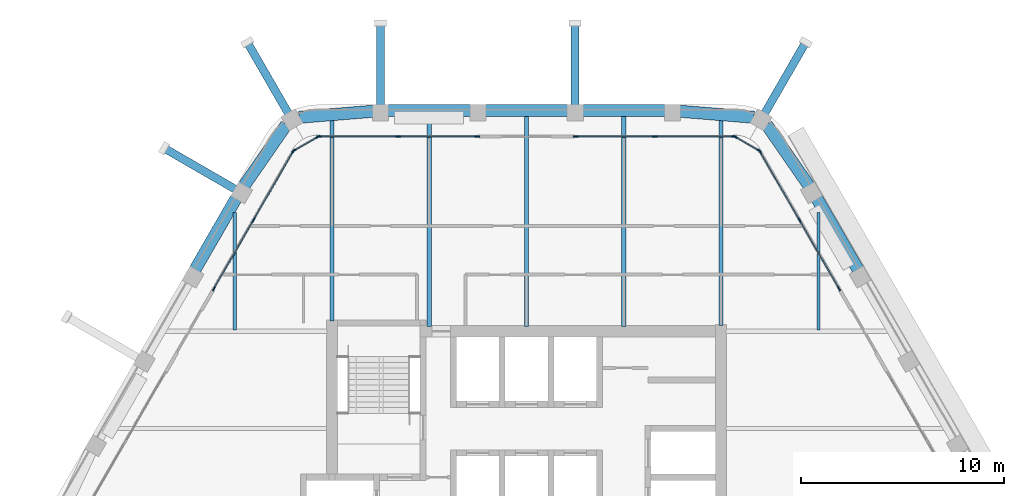
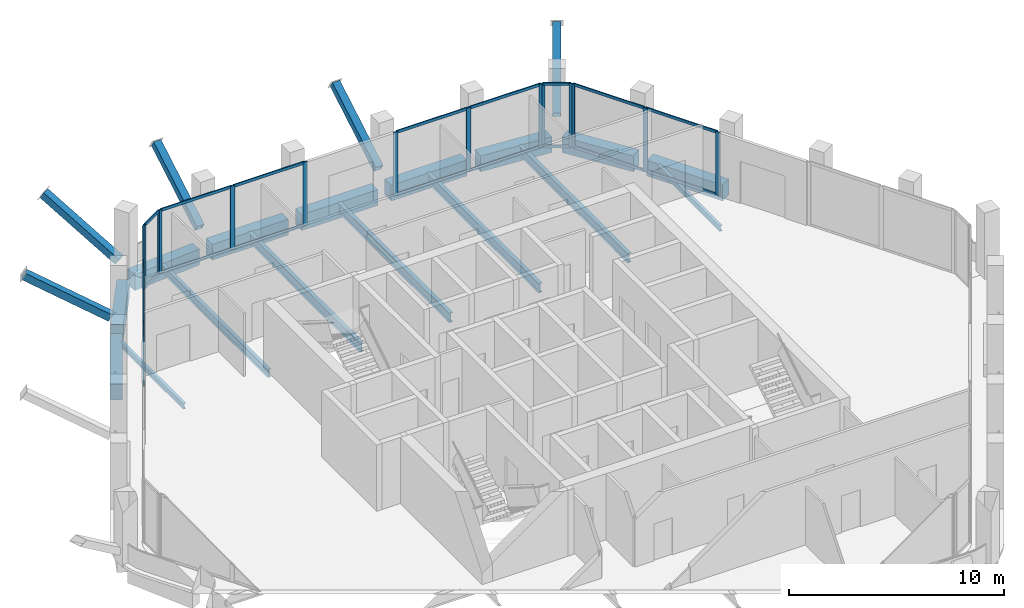
# One storey, part 5 of 14: 41 members, 16 beams, 6 elements without a shape of their own.
"""IFC4 building model written with IfcOpenShell, lengths in metres."""

from ifc_helpers import new_model, si_unit, direction, frame, origin, origin_2d, place, context, subcontext, project, spatial, rectangle, hollow_rectangle, i_section, extrude, material, material_profile, profile_set, type_object, element, aggregate, save


model = new_model("IFC4")

# Units and contexts
model_context = context("Model", 3, precision=1e-05, world=origin(), true_north=direction((0.0, 1.0)))
body_context = subcontext(model_context, "Body", "Model", "MODEL_VIEW")
ifc_project = project(units=[si_unit("LENGTHUNIT", "METRE"), si_unit("AREAUNIT", "SQUARE_METRE"), si_unit("VOLUMEUNIT", "CUBIC_METRE"), si_unit("PLANEANGLEUNIT", "RADIAN"), si_unit("MASSUNIT", "GRAM", prefix="KILO")], contexts=[model_context])

# Site, building, storey
site_placement = place(None, origin())
site = spatial("IfcSite", under=ifc_project, at=site_placement, CompositionType="ELEMENT")
building_placement = place(site_placement, origin())
building = spatial("IfcBuilding", under=site, at=building_placement, Name="Kolab Exchange Tower", CompositionType="ELEMENT")
storey_placement = place(building_placement, frame((0.0, 0.0, 250.10009765625)))
storey = spatial("IfcBuildingStorey", under=building, at=storey_placement, Name="L55", CompositionType="ELEMENT", Elevation=250.10009765625)

# Beams
ifc_material_1 = material(Name="Steel S355", Category="steel")
ifc_material_profile_1 = material_profile(ifc_material_1, i_section(OverallWidth=0.1650390625, OverallDepth=0.31005859375, WebThickness=0.005859375, FlangeThickness=0.009765625, at=origin_2d()), Name="W310X39")
ifc_profile_set_1 = profile_set([ifc_material_profile_1], Name="Steel S355")
beam_type_1 = type_object("IfcBeamType", Name="FLOOR BEAM W310X39", PredefinedType="BEAM", material=ifc_profile_set_1)
for number, where, z_axis, x_axis, name in (
    (1, (-14.39990234375, 9.674072265625, -0.30517578125), (0.0, 1.0, 0.0), (-1.0, 0.0, 0.0), "beam/L55/fr/004"),
    (2, (14.39990234375, 9.674072265625, -0.30517578125), (0.0, 1.0, 0.0), (-1.0, 0.0, 0.0), "beam/L55/fr/019"),
):
    element("IfcBeam", number, at=place(storey_placement, frame(where, z_axis=z_axis, x_axis=x_axis)), inside=storey, type_object=beam_type_1, Name=name, PredefinedType="BEAM", context=body_context, shape_type="SweptSolid", body=[
        extrude(i_section(OverallWidth=0.1650390625, OverallDepth=0.31005859375, WebThickness=0.005859375, FlangeThickness=0.009765625, at=origin_2d()), origin(), (0.0, 0.0, 1.0), 5.793701171875),
    ])
ifc_material_profile_2 = material_profile(ifc_material_1, i_section(OverallWidth=0.18994140625, OverallDepth=0.45703125, WebThickness=0.009033203125, FlangeThickness=0.014404296875, at=origin_2d()), Name="W460X74")
ifc_profile_set_2 = profile_set([ifc_material_profile_2], Name="Steel S355")
beam_type_2 = type_object("IfcBeamType", Name="FLOOR BEAM W460X74", PredefinedType="BEAM", material=ifc_profile_set_2)
beam_1_placement = place(storey_placement, frame((-9.60009765625, 10.110107421875, -0.378662109375), z_axis=(0.0, 1.0, 0.0), x_axis=(-1.0, 0.0, 0.0)))
element("IfcBeam", 3, at=beam_1_placement, inside=storey, type_object=beam_type_2, Name="beam/L55/fr/006", PredefinedType="BEAM", context=body_context, shape_type="SweptSolid", body=[
    extrude(i_section(OverallWidth=0.18994140625, OverallDepth=0.45703125, WebThickness=0.009033203125, FlangeThickness=0.014404296875, at=origin_2d()), origin(), (0.0, 0.0, 1.0), 9.9169921875),
])
ifc_material_profile_3 = material_profile(ifc_material_1, i_section(OverallWidth=0.208984375, OverallDepth=0.532958984375, WebThickness=0.01025390625, FlangeThickness=0.015625, at=origin_2d()), Name="W530X92")
ifc_profile_set_3 = profile_set([ifc_material_profile_3], Name="Steel S355")
beam_type_3 = type_object("IfcBeamType", Name="FLOOR BEAM W530X92", PredefinedType="BEAM", material=ifc_profile_set_3)
for number, where, z_axis, x_axis, name in (
    (4, (-4.800048828125, 9.8349609375, -0.41650390625), (0.0, 1.0, 0.0), (-1.0, 0.0, 0.0), "beam/L55/fr/008"),
    (5, (0.0, 9.8349609375, -0.41650390625), (0.0, 1.0, 0.0), (-1.0, 0.0, 0.0), "beam/L55/fr/010"),
    (6, (4.800048828125, 9.8349609375, -0.41650390625), (0.0, 1.0, 0.0), (-1.0, 0.0, 0.0), "beam/L55/fr/012"),
):
    element("IfcBeam", number, at=place(storey_placement, frame(where, z_axis=z_axis, x_axis=x_axis)), inside=storey, type_object=beam_type_3, Name=name, PredefinedType="BEAM", context=body_context, shape_type="SweptSolid", body=[
        extrude(i_section(OverallWidth=0.208984375, OverallDepth=0.532958984375, WebThickness=0.01025390625, FlangeThickness=0.015625, at=origin_2d()), origin(), (0.0, 0.0, 1.0), 10.3896484375),
    ])
beam_2_placement = place(storey_placement, frame((9.60009765625, 9.885009765625, -0.41650390625), z_axis=(0.0, 1.0, 0.0), x_axis=(-1.0, 0.0, 0.0)))
element("IfcBeam", 7, at=beam_2_placement, inside=storey, type_object=beam_type_3, Name="beam/L55/fr/014", PredefinedType="BEAM", context=body_context, shape_type="SweptSolid", body=[
    extrude(i_section(OverallWidth=0.208984375, OverallDepth=0.532958984375, WebThickness=0.01025390625, FlangeThickness=0.015625, at=origin_2d()), origin(), (0.0, 0.0, 1.0), 10.14208984375),
])

# Members
ifc_material_profile_4 = material_profile(ifc_material_1, hollow_rectangle(XDim=0.39990234375, YDim=0.39990234375, WallThickness=0.02001953125, at=origin_2d()), Name="HSS400X400X20")
ifc_profile_set_4 = profile_set([ifc_material_profile_4], Name="Steel S355")
member_type_1 = type_object("IfcMemberType", Name="LEDGE STRUT HSS400X400X20", PredefinedType="STRUT", material=ifc_profile_set_4)
for number, where, z_axis, x_axis, name in (
    (8, (-14.365478515625, 16.607666015625, 0.599853515625), (-0.747106459111, 0.431371866203, 0.505717561296), (-0.500025864173, -0.866010470582, 0.0), "mem/L55/ledge/strut-2"),
    (9, (-11.747802734375, 20.347900390625, 0.599853515625), (-0.431355064226, 0.74712949304, 0.505697863547), (-0.866025579307, -0.499999695987, 0.0), "mem/L55/ledge/strut-3"),
    (10, (-7.199951171875, 20.74462890625, 0.599853515625), (0.0, 0.862710518859, 0.505698092394), (-1.0, 0.0, 0.0), "mem/L55/ledge/strut-4"),
    (11, (2.39990234375, 20.74462890625, 0.599853515625), (0.0, 0.862710518859, 0.505698092394), (-1.0, 0.0, 0.0), "mem/L55/ledge/strut-5"),
    (12, (11.747802734375, 20.347900390625, 0.599853515625), (0.431355064226, 0.74712949304, 0.505697863547), (-0.866025579307, 0.499999695987, 0.0), "mem/L55/ledge/strut-6"),
):
    element("IfcMember", number, at=place(storey_placement, frame(where, z_axis=z_axis, x_axis=x_axis)), inside=storey, type_object=member_type_1, Name=name, PredefinedType="STRUT", context=body_context, shape_type="SweptSolid", body=[
        extrude(hollow_rectangle(XDim=0.39990234375, YDim=0.39990234375, WallThickness=0.02001953125, at=origin_2d()), origin(), (0.0, 0.0, 1.0), 4.682861328125),
    ])

# Beams
ifc_material_2 = material(Name="Concrete C50/60", Category="concrete")
ifc_material_profile_5 = material_profile(ifc_material_2, rectangle(XDim=0.60009765625, YDim=0.89990234375, at=origin_2d()), Name="RC600X900")
ifc_profile_set_5 = profile_set([ifc_material_profile_5], Name="Concrete C50/60")
beam_type_4 = type_object("IfcBeamType", Name="SPANDREL BEAM 600X900 C50/60", PredefinedType="BEAM", material=ifc_profile_set_5)
beam_3_placement = place(storey_placement, frame((-11.216796875, 20.15576171875, -0.60009765625), z_axis=(0.996666751878, 0.081580547323, 0.0), x_axis=(-0.081580547323, 0.996666751878, 0.0)))
element("IfcBeam", 13, at=beam_3_placement, inside=storey, type_object=beam_type_4, Name="beam/L55/sp/F1-01", PredefinedType="BEAM", context=body_context, shape_type="SweptSolid", body=[
    extrude(rectangle(XDim=0.60009765625, YDim=0.89990234375, at=origin_2d()), origin(), (0.0, 0.0, 1.0), 3.6689453125),
])
for number, where, z_axis, x_axis, name in (
    (14, (-6.840087890625, 20.484619140625, -0.60009765625), (1.0, 0.0, 0.0), (0.0, 1.0, 0.0), "beam/L55/sp/F1-02"),
    (15, (-2.0400390625, 20.484619140625, -0.60009765625), (1.0, 0.0, 0.0), (0.0, 1.0, 0.0), "beam/L55/sp/F1-03"),
    (16, (2.760009765625, 20.484619140625, -0.60009765625), (1.0, 0.0, 0.0), (0.0, 1.0, 0.0), "beam/L55/sp/F1-04"),
):
    element("IfcBeam", number, at=place(storey_placement, frame(where, z_axis=z_axis, x_axis=x_axis)), inside=storey, type_object=beam_type_4, Name=name, PredefinedType="BEAM", context=body_context, shape_type="SweptSolid", body=[
        extrude(rectangle(XDim=0.60009765625, YDim=0.89990234375, at=origin_2d()), origin(), (0.0, 0.0, 1.0), 4.080078125),
    ])
for number, where, z_axis, x_axis, name in (
    (17, (7.56005859375, 20.455078125, -0.60009765625), (0.996666751878, -0.081580547323, 0.0), (0.081580547323, 0.996666751878, 0.0), "beam/L55/sp/F1-05"),
    (18, (11.846923828125, 19.7919921875, -0.60009765625), (0.569005808573, -0.822333502789, 0.0), (0.822333502789, 0.569005808573, 0.0), "beam/L55/sp/F2-01"),
):
    element("IfcBeam", number, at=place(storey_placement, frame(where, z_axis=z_axis, x_axis=x_axis)), inside=storey, type_object=beam_type_4, Name=name, PredefinedType="BEAM", context=body_context, shape_type="SweptSolid", body=[
        extrude(rectangle(XDim=0.60009765625, YDim=0.89990234375, at=origin_2d()), origin(), (0.0, 0.0, 1.0), 3.6689453125),
    ])
for number, where, z_axis, x_axis, name in (
    (19, (14.3203125, 16.166015625, -0.60009765625), (0.499955548806, -0.866051066172, 0.0), (0.866051066172, 0.499955548806, 0.0), "beam/L55/sp/F2-02"),
    (20, (-16.360107421875, 12.632568359375, -0.60009765625), (0.499955548806, 0.866051066172, 0.0), (-0.866051066172, 0.499955548806, 0.0), "beam/L55/sp/F6-04"),
):
    element("IfcBeam", number, at=place(storey_placement, frame(where, z_axis=z_axis, x_axis=x_axis)), inside=storey, type_object=beam_type_4, Name=name, PredefinedType="BEAM", context=body_context, shape_type="SweptSolid", body=[
        extrude(rectangle(XDim=0.60009765625, YDim=0.89990234375, at=origin_2d()), origin(), (0.0, 0.0, 1.0), 4.079833984375),
    ])
beam_4_placement = place(storey_placement, frame((-13.9345703125, 16.77490234375, -0.60009765625), z_axis=(0.569005808573, 0.822333502789, 0.0), x_axis=(-0.822333502789, 0.569005808573, 0.0)))
element("IfcBeam", 21, at=beam_4_placement, inside=storey, type_object=beam_type_4, Name="beam/L55/sp/F6-05", PredefinedType="BEAM", context=body_context, shape_type="SweptSolid", body=[
    extrude(rectangle(XDim=0.60009765625, YDim=0.89990234375, at=origin_2d()), origin(), (0.0, 0.0, 1.0), 3.6689453125),
])

# Curtain wall, members
ifc_material_3 = material(Name="Aluminium EN AW-6063 T6", Category="aluminium")
curtain_wall_type = type_object("IfcCurtainWallType", Name="UNITISED HIGH ZONE CURTAIN WALL", PredefinedType="NOTDEFINED", material=ifc_material_3)
curtain_wall_1_placement = place(storey_placement, origin())
curtain_wall_1 = element("IfcCurtainWall", 22, at=curtain_wall_1_placement, inside=storey, type_object=curtain_wall_type, Name="cw/L55/F1-1", PredefinedType="NOTDEFINED")
ifc_material_profile_6 = material_profile(ifc_material_3, rectangle(XDim=0.06005859375, YDim=0.239990234375, at=origin_2d()), Name="RECT 60X240")
ifc_profile_set_6 = profile_set([ifc_material_profile_6], Name="Aluminium EN AW-6063 T6")
member_type_2 = type_object("IfcMemberType", Name="UNITISED HIGH ZONE MULLION 60 X 240", PredefinedType="MULLION", material=ifc_profile_set_6)
member_1_placement = place(storey_placement, frame((-10.238037109375, 19.20458984375, 0.0), z_axis=(0.0, 0.0, 1.0), x_axis=(0.0, 1.0, 0.0)))
member_1 = element("IfcMember", 23, at=member_1_placement, type_object=member_type_2, Name="CW4 mullion 1", PredefinedType="MULLION", context=body_context, shape_type="SweptSolid", body=[
    extrude(rectangle(XDim=0.06005859375, YDim=0.239990234375, at=origin_2d()), origin(), (0.0, 0.0, 1.0), 3.599853515625),
])
member_2_placement = place(storey_placement, frame((-6.333984375, 19.20458984375, 0.0), z_axis=(0.0, 0.0, 1.0), x_axis=(0.0, 1.0, 0.0)))
member_2 = element("IfcMember", 24, at=member_2_placement, type_object=member_type_2, Name="CW4 mullion 2", PredefinedType="MULLION", context=body_context, shape_type="SweptSolid", body=[
    extrude(rectangle(XDim=0.06005859375, YDim=0.239990234375, at=origin_2d()), origin(), (0.0, 0.0, 1.0), 3.599853515625),
])
member_3_placement = place(storey_placement, frame((-2.429931640625, 19.20458984375, 0.0), z_axis=(0.0, 0.0, 1.0), x_axis=(0.0, 1.0, 0.0)))
member_3 = element("IfcMember", 25, at=member_3_placement, type_object=member_type_2, Name="CW4 mullion 3", PredefinedType="MULLION", context=body_context, shape_type="SweptSolid", body=[
    extrude(rectangle(XDim=0.06005859375, YDim=0.239990234375, at=origin_2d()), origin(), (0.0, 0.0, 1.0), 3.599853515625),
])

curtain_wall_2_placement = place(storey_placement, origin())
curtain_wall_2 = element("IfcCurtainWall", 26, at=curtain_wall_2_placement, inside=storey, type_object=curtain_wall_type, Name="cw/L55/F1-2", PredefinedType="NOTDEFINED")
member_4_placement = place(storey_placement, frame((2.429931640625, 19.20458984375, 0.0), z_axis=(0.0, 0.0, 1.0), x_axis=(0.0, 1.0, 0.0)))
member_4 = element("IfcMember", 27, at=member_4_placement, type_object=member_type_2, Name="CW4 mullion 1", PredefinedType="MULLION", context=body_context, shape_type="SweptSolid", body=[
    extrude(rectangle(XDim=0.06005859375, YDim=0.239990234375, at=origin_2d()), origin(), (0.0, 0.0, 1.0), 3.599853515625),
])
member_5_placement = place(storey_placement, frame((6.333984375, 19.20458984375, 0.0), z_axis=(0.0, 0.0, 1.0), x_axis=(0.0, 1.0, 0.0)))
member_5 = element("IfcMember", 28, at=member_5_placement, type_object=member_type_2, Name="CW4 mullion 2", PredefinedType="MULLION", context=body_context, shape_type="SweptSolid", body=[
    extrude(rectangle(XDim=0.06005859375, YDim=0.239990234375, at=origin_2d()), origin(), (0.0, 0.0, 1.0), 3.599853515625),
])
member_6_placement = place(storey_placement, frame((10.238037109375, 19.20458984375, 0.0), z_axis=(0.0, 0.0, 1.0), x_axis=(0.0, 1.0, 0.0)))
member_6 = element("IfcMember", 29, at=member_6_placement, type_object=member_type_2, Name="CW4 mullion 3", PredefinedType="MULLION", context=body_context, shape_type="SweptSolid", body=[
    extrude(rectangle(XDim=0.06005859375, YDim=0.239990234375, at=origin_2d()), origin(), (0.0, 0.0, 1.0), 3.599853515625),
])

curtain_wall_3_placement = place(storey_placement, origin())
curtain_wall_3 = element("IfcCurtainWall", 30, at=curtain_wall_3_placement, inside=storey, type_object=curtain_wall_type, Name="cw/L55/F2-1", PredefinedType="NOTDEFINED")
member_7_placement = place(storey_placement, frame((11.5126953125, 18.46875, 0.0), z_axis=(0.0, 0.0, 1.0), x_axis=(0.866025385493, 0.500000031681, 0.0)))
member_7 = element("IfcMember", 31, at=member_7_placement, type_object=member_type_2, Name="CW4 mullion 1", PredefinedType="MULLION", context=body_context, shape_type="SweptSolid", body=[
    extrude(rectangle(XDim=0.06005859375, YDim=0.239990234375, at=origin_2d()), origin(), (0.0, 0.0, 1.0), 3.599853515625),
])
member_8_placement = place(storey_placement, frame((13.464599609375, 15.087646484375, 0.0), z_axis=(0.0, 0.0, 1.0), x_axis=(0.866025385493, 0.500000031681, 0.0)))
member_8 = element("IfcMember", 32, at=member_8_placement, type_object=member_type_2, Name="CW4 mullion 2", PredefinedType="MULLION", context=body_context, shape_type="SweptSolid", body=[
    extrude(rectangle(XDim=0.06005859375, YDim=0.239990234375, at=origin_2d()), origin(), (0.0, 0.0, 1.0), 3.599853515625),
])
member_9_placement = place(storey_placement, frame((15.416748046875, 11.706787109375, 0.0), z_axis=(0.0, 0.0, 1.0), x_axis=(0.866025385493, 0.500000031681, 0.0)))
member_9 = element("IfcMember", 33, at=member_9_placement, type_object=member_type_2, Name="CW4 mullion 3", PredefinedType="MULLION", context=body_context, shape_type="SweptSolid", body=[
    extrude(rectangle(XDim=0.06005859375, YDim=0.239990234375, at=origin_2d()), origin(), (0.0, 0.0, 1.0), 3.599853515625),
])

curtain_wall_4_placement = place(storey_placement, origin())
curtain_wall_4 = element("IfcCurtainWall", 34, at=curtain_wall_4_placement, inside=storey, type_object=curtain_wall_type, Name="cw/L55/F6-2", PredefinedType="NOTDEFINED")
member_10_placement = place(storey_placement, frame((-15.416748046875, 11.706787109375, 0.0), z_axis=(0.0, 0.0, 1.0), x_axis=(-0.866025385493, 0.500000031681, 0.0)))
member_10 = element("IfcMember", 35, at=member_10_placement, type_object=member_type_2, Name="CW4 mullion 1", PredefinedType="MULLION", context=body_context, shape_type="SweptSolid", body=[
    extrude(rectangle(XDim=0.06005859375, YDim=0.239990234375, at=origin_2d()), origin(), (0.0, 0.0, 1.0), 3.599853515625),
])
member_11_placement = place(storey_placement, frame((-13.464599609375, 15.087646484375, 0.0), z_axis=(0.0, 0.0, 1.0), x_axis=(-0.866025385493, 0.500000031681, 0.0)))
member_11 = element("IfcMember", 36, at=member_11_placement, type_object=member_type_2, Name="CW4 mullion 2", PredefinedType="MULLION", context=body_context, shape_type="SweptSolid", body=[
    extrude(rectangle(XDim=0.06005859375, YDim=0.239990234375, at=origin_2d()), origin(), (0.0, 0.0, 1.0), 3.599853515625),
])
member_12_placement = place(storey_placement, frame((-11.5126953125, 18.46875, 0.0), z_axis=(0.0, 0.0, 1.0), x_axis=(-0.866025385493, 0.500000031681, 0.0)))
member_12 = element("IfcMember", 37, at=member_12_placement, type_object=member_type_2, Name="CW4 mullion 3", PredefinedType="MULLION", context=body_context, shape_type="SweptSolid", body=[
    extrude(rectangle(XDim=0.06005859375, YDim=0.239990234375, at=origin_2d()), origin(), (0.0, 0.0, 1.0), 3.599853515625),
])

curtain_wall_5_placement = place(storey_placement, origin())
curtain_wall_5 = element("IfcCurtainWall", 38, at=curtain_wall_5_placement, inside=storey, type_object=curtain_wall_type, Name="cw/L55/F1F2-corner", PredefinedType="NOTDEFINED")
member_13_placement = place(storey_placement, frame((10.2939453125, 19.189697265625, 0.0), z_axis=(0.0, 0.0, 1.0), x_axis=(0.50000002237, 0.866025390869, 0.0)))
member_13 = element("IfcMember", 39, at=member_13_placement, type_object=member_type_2, Name="CW4 mullion 1", PredefinedType="MULLION", context=body_context, shape_type="SweptSolid", body=[
    extrude(rectangle(XDim=0.06005859375, YDim=0.239990234375, at=origin_2d()), origin(), (0.0, 0.0, 1.0), 3.599853515625),
])
member_14_placement = place(storey_placement, frame((11.4716796875, 18.509521484375, 0.0), z_axis=(0.0, 0.0, 1.0), x_axis=(0.50000002237, 0.866025390869, 0.0)))
member_14 = element("IfcMember", 40, at=member_14_placement, type_object=member_type_2, Name="CW4 mullion 2", PredefinedType="MULLION", context=body_context, shape_type="SweptSolid", body=[
    extrude(rectangle(XDim=0.06005859375, YDim=0.239990234375, at=origin_2d()), origin(), (0.0, 0.0, 1.0), 3.599853515625),
])

curtain_wall_6_placement = place(storey_placement, origin())
curtain_wall_6 = element("IfcCurtainWall", 41, at=curtain_wall_6_placement, inside=storey, type_object=curtain_wall_type, Name="cw/L55/F6F1-corner", PredefinedType="NOTDEFINED")
member_15_placement = place(storey_placement, frame((-11.4716796875, 18.509521484375, 0.0), z_axis=(0.0, 0.0, 1.0), x_axis=(-0.50000002237, 0.866025390869, 0.0)))
member_15 = element("IfcMember", 42, at=member_15_placement, type_object=member_type_2, Name="CW4 mullion 1", PredefinedType="MULLION", context=body_context, shape_type="SweptSolid", body=[
    extrude(rectangle(XDim=0.06005859375, YDim=0.239990234375, at=origin_2d()), origin(), (0.0, 0.0, 1.0), 3.599853515625),
])
member_16_placement = place(storey_placement, frame((-10.2939453125, 19.189697265625, 0.0), z_axis=(0.0, 0.0, 1.0), x_axis=(-0.50000002237, 0.866025390869, 0.0)))
member_16 = element("IfcMember", 43, at=member_16_placement, type_object=member_type_2, Name="CW4 mullion 2", PredefinedType="MULLION", context=body_context, shape_type="SweptSolid", body=[
    extrude(rectangle(XDim=0.06005859375, YDim=0.239990234375, at=origin_2d()), origin(), (0.0, 0.0, 1.0), 3.599853515625),
])

# Member
ifc_material_profile_7 = material_profile(ifc_material_3, rectangle(XDim=0.06005859375, YDim=0.159912109375, at=origin_2d()), Name="RECT 60X160")
ifc_profile_set_7 = profile_set([ifc_material_profile_7], Name="Aluminium EN AW-6063 T6")
member_type_3 = type_object("IfcMemberType", Name="UNITISED HIGH ZONE TRANSOM 60 X 160", PredefinedType="USERDEFINED", material=ifc_profile_set_7)
member_17_placement = place(storey_placement, frame((-10.2080078125, 19.20458984375, 0.02978515625), z_axis=(1.0, 0.0, 0.0), x_axis=(0.0, 1.0, 0.0)))
member_17 = element("IfcMember", 44, at=member_17_placement, type_object=member_type_3, Name="CW4 transom 1.1", ObjectType="TRANSOM", PredefinedType="USERDEFINED", context=body_context, shape_type="SweptSolid", body=[
    extrude(rectangle(XDim=0.06005859375, YDim=0.159912109375, at=origin_2d()), origin(), (0.0, 0.0, 1.0), 3.843994140625),
])

member_18_placement = place(storey_placement, frame((-10.2080078125, 19.20458984375, 3.56982421875), z_axis=(1.0, 0.0, 0.0), x_axis=(0.0, 1.0, 0.0)))
member_18 = element("IfcMember", 45, at=member_18_placement, type_object=member_type_3, Name="CW4 transom 1.2", ObjectType="TRANSOM", PredefinedType="USERDEFINED", context=body_context, shape_type="SweptSolid", body=[
    extrude(rectangle(XDim=0.06005859375, YDim=0.159912109375, at=origin_2d()), origin(), (0.0, 0.0, 1.0), 3.843994140625),
])

member_19_placement = place(storey_placement, frame((-6.303955078125, 19.20458984375, 0.02978515625), z_axis=(1.0, 0.0, 0.0), x_axis=(0.0, 1.0, 0.0)))
member_19 = element("IfcMember", 46, at=member_19_placement, type_object=member_type_3, Name="CW4 transom 2.1", ObjectType="TRANSOM", PredefinedType="USERDEFINED", context=body_context, shape_type="SweptSolid", body=[
    extrude(rectangle(XDim=0.06005859375, YDim=0.159912109375, at=origin_2d()), origin(), (0.0, 0.0, 1.0), 3.843994140625),
])

member_20_placement = place(storey_placement, frame((-6.303955078125, 19.20458984375, 3.56982421875), z_axis=(1.0, 0.0, 0.0), x_axis=(0.0, 1.0, 0.0)))
member_20 = element("IfcMember", 47, at=member_20_placement, type_object=member_type_3, Name="CW4 transom 2.2", ObjectType="TRANSOM", PredefinedType="USERDEFINED", context=body_context, shape_type="SweptSolid", body=[
    extrude(rectangle(XDim=0.06005859375, YDim=0.159912109375, at=origin_2d()), origin(), (0.0, 0.0, 1.0), 3.843994140625),
])

aggregate(curtain_wall_1, [member_1, member_2, member_3, member_17, member_18, member_19, member_20])

member_21_placement = place(storey_placement, frame((2.4599609375, 19.20458984375, 0.02978515625), z_axis=(1.0, 0.0, 0.0), x_axis=(0.0, 1.0, 0.0)))
member_21 = element("IfcMember", 48, at=member_21_placement, type_object=member_type_3, Name="CW4 transom 1.1", ObjectType="TRANSOM", PredefinedType="USERDEFINED", context=body_context, shape_type="SweptSolid", body=[
    extrude(rectangle(XDim=0.06005859375, YDim=0.159912109375, at=origin_2d()), origin(), (0.0, 0.0, 1.0), 3.843994140625),
])

member_22_placement = place(storey_placement, frame((2.4599609375, 19.20458984375, 3.56982421875), z_axis=(1.0, 0.0, 0.0), x_axis=(0.0, 1.0, 0.0)))
member_22 = element("IfcMember", 49, at=member_22_placement, type_object=member_type_3, Name="CW4 transom 1.2", ObjectType="TRANSOM", PredefinedType="USERDEFINED", context=body_context, shape_type="SweptSolid", body=[
    extrude(rectangle(XDim=0.06005859375, YDim=0.159912109375, at=origin_2d()), origin(), (0.0, 0.0, 1.0), 3.843994140625),
])

member_23_placement = place(storey_placement, frame((6.364013671875, 19.20458984375, 0.02978515625), z_axis=(1.0, 0.0, 0.0), x_axis=(0.0, 1.0, 0.0)))
member_23 = element("IfcMember", 50, at=member_23_placement, type_object=member_type_3, Name="CW4 transom 2.1", ObjectType="TRANSOM", PredefinedType="USERDEFINED", context=body_context, shape_type="SweptSolid", body=[
    extrude(rectangle(XDim=0.06005859375, YDim=0.159912109375, at=origin_2d()), origin(), (0.0, 0.0, 1.0), 3.843994140625),
])

member_24_placement = place(storey_placement, frame((6.364013671875, 19.20458984375, 3.56982421875), z_axis=(1.0, 0.0, 0.0), x_axis=(0.0, 1.0, 0.0)))
member_24 = element("IfcMember", 51, at=member_24_placement, type_object=member_type_3, Name="CW4 transom 2.2", ObjectType="TRANSOM", PredefinedType="USERDEFINED", context=body_context, shape_type="SweptSolid", body=[
    extrude(rectangle(XDim=0.06005859375, YDim=0.159912109375, at=origin_2d()), origin(), (0.0, 0.0, 1.0), 3.843994140625),
])

aggregate(curtain_wall_2, [member_4, member_5, member_6, member_21, member_22, member_23, member_24])

member_25_placement = place(storey_placement, frame((11.527587890625, 18.442626953125, 0.02978515625), z_axis=(0.500039492609, -0.866002601515, 0.0), x_axis=(0.866002601515, 0.500039492609, 0.0)))
member_25 = element("IfcMember", 52, at=member_25_placement, type_object=member_type_3, Name="CW4 transom 1.1", ObjectType="TRANSOM", PredefinedType="USERDEFINED", context=body_context, shape_type="SweptSolid", body=[
    extrude(rectangle(XDim=0.06005859375, YDim=0.159912109375, at=origin_2d()), origin(), (0.0, 0.0, 1.0), 3.843994140625),
])

member_26_placement = place(storey_placement, frame((11.527587890625, 18.442626953125, 3.56982421875), z_axis=(0.500039492609, -0.866002601515, 0.0), x_axis=(0.866002601515, 0.500039492609, 0.0)))
member_26 = element("IfcMember", 53, at=member_26_placement, type_object=member_type_3, Name="CW4 transom 1.2", ObjectType="TRANSOM", PredefinedType="USERDEFINED", context=body_context, shape_type="SweptSolid", body=[
    extrude(rectangle(XDim=0.06005859375, YDim=0.159912109375, at=origin_2d()), origin(), (0.0, 0.0, 1.0), 3.843994140625),
])

member_27_placement = place(storey_placement, frame((13.479736328125, 15.061767578125, 0.02978515625), z_axis=(0.499964356602, -0.866045981532, 0.0), x_axis=(0.866045981532, 0.499964356602, 0.0)))
member_27 = element("IfcMember", 54, at=member_27_placement, type_object=member_type_3, Name="CW4 transom 2.1", ObjectType="TRANSOM", PredefinedType="USERDEFINED", context=body_context, shape_type="SweptSolid", body=[
    extrude(rectangle(XDim=0.06005859375, YDim=0.159912109375, at=origin_2d()), origin(), (0.0, 0.0, 1.0), 3.843994140625),
])

member_28_placement = place(storey_placement, frame((13.479736328125, 15.061767578125, 3.56982421875), z_axis=(0.499964356602, -0.866045981532, 0.0), x_axis=(0.866045981532, 0.499964356602, 0.0)))
member_28 = element("IfcMember", 55, at=member_28_placement, type_object=member_type_3, Name="CW4 transom 2.2", ObjectType="TRANSOM", PredefinedType="USERDEFINED", context=body_context, shape_type="SweptSolid", body=[
    extrude(rectangle(XDim=0.06005859375, YDim=0.159912109375, at=origin_2d()), origin(), (0.0, 0.0, 1.0), 3.843994140625),
])

aggregate(curtain_wall_3, [member_7, member_8, member_9, member_25, member_26, member_27, member_28])

member_29_placement = place(storey_placement, frame((-15.401611328125, 11.732666015625, 0.02978515625), z_axis=(0.499964356602, 0.866045981532, 0.0), x_axis=(-0.866045981532, 0.499964356602, 0.0)))
member_29 = element("IfcMember", 56, at=member_29_placement, type_object=member_type_3, Name="CW4 transom 1.1", ObjectType="TRANSOM", PredefinedType="USERDEFINED", context=body_context, shape_type="SweptSolid", body=[
    extrude(rectangle(XDim=0.06005859375, YDim=0.159912109375, at=origin_2d()), origin(), (0.0, 0.0, 1.0), 3.843994140625),
])

member_30_placement = place(storey_placement, frame((-15.401611328125, 11.732666015625, 3.56982421875), z_axis=(0.499964356602, 0.866045981532, 0.0), x_axis=(-0.866045981532, 0.499964356602, 0.0)))
member_30 = element("IfcMember", 57, at=member_30_placement, type_object=member_type_3, Name="CW4 transom 1.2", ObjectType="TRANSOM", PredefinedType="USERDEFINED", context=body_context, shape_type="SweptSolid", body=[
    extrude(rectangle(XDim=0.06005859375, YDim=0.159912109375, at=origin_2d()), origin(), (0.0, 0.0, 1.0), 3.843994140625),
])

member_31_placement = place(storey_placement, frame((-13.44970703125, 15.11376953125, 0.02978515625), z_axis=(0.500039492609, 0.866002601515, 0.0), x_axis=(-0.866002601515, 0.500039492609, 0.0)))
member_31 = element("IfcMember", 58, at=member_31_placement, type_object=member_type_3, Name="CW4 transom 2.1", ObjectType="TRANSOM", PredefinedType="USERDEFINED", context=body_context, shape_type="SweptSolid", body=[
    extrude(rectangle(XDim=0.06005859375, YDim=0.159912109375, at=origin_2d()), origin(), (0.0, 0.0, 1.0), 3.843994140625),
])

member_32_placement = place(storey_placement, frame((-13.44970703125, 15.11376953125, 3.56982421875), z_axis=(0.500039492609, 0.866002601515, 0.0), x_axis=(-0.866002601515, 0.500039492609, 0.0)))
member_32 = element("IfcMember", 59, at=member_32_placement, type_object=member_type_3, Name="CW4 transom 2.2", ObjectType="TRANSOM", PredefinedType="USERDEFINED", context=body_context, shape_type="SweptSolid", body=[
    extrude(rectangle(XDim=0.06005859375, YDim=0.159912109375, at=origin_2d()), origin(), (0.0, 0.0, 1.0), 3.843994140625),
])

aggregate(curtain_wall_4, [member_10, member_11, member_12, member_29, member_30, member_31, member_32])

member_33_placement = place(storey_placement, frame((10.31982421875, 19.174560546875, 0.02978515625), z_axis=(0.866085525409, -0.49989585183, 0.0), x_axis=(0.49989585183, 0.866085525409, 0.0)))
member_33 = element("IfcMember", 60, at=member_33_placement, type_object=member_type_3, Name="CW4 transom 1.1", ObjectType="TRANSOM", PredefinedType="USERDEFINED", context=body_context, shape_type="SweptSolid", body=[
    extrude(rectangle(XDim=0.06005859375, YDim=0.159912109375, at=origin_2d()), origin(), (0.0, 0.0, 1.0), 1.300048828125),
])

member_34_placement = place(storey_placement, frame((10.31982421875, 19.174560546875, 3.56982421875), z_axis=(0.866085525409, -0.49989585183, 0.0), x_axis=(0.49989585183, 0.866085525409, 0.0)))
member_34 = element("IfcMember", 61, at=member_34_placement, type_object=member_type_3, Name="CW4 transom 1.2", ObjectType="TRANSOM", PredefinedType="USERDEFINED", context=body_context, shape_type="SweptSolid", body=[
    extrude(rectangle(XDim=0.06005859375, YDim=0.159912109375, at=origin_2d()), origin(), (0.0, 0.0, 1.0), 1.300048828125),
])

aggregate(curtain_wall_5, [member_13, member_14, member_33, member_34])

member_35_placement = place(storey_placement, frame((-11.44580078125, 18.524658203125, 0.02978515625), z_axis=(0.866085525409, 0.49989585183, 0.0), x_axis=(-0.49989585183, 0.866085525409, 0.0)))
member_35 = element("IfcMember", 62, at=member_35_placement, type_object=member_type_3, Name="CW4 transom 1.1", ObjectType="TRANSOM", PredefinedType="USERDEFINED", context=body_context, shape_type="SweptSolid", body=[
    extrude(rectangle(XDim=0.06005859375, YDim=0.159912109375, at=origin_2d()), origin(), (0.0, 0.0, 1.0), 1.300048828125),
])

member_36_placement = place(storey_placement, frame((-11.44580078125, 18.524658203125, 3.56982421875), z_axis=(0.866085525409, 0.49989585183, 0.0), x_axis=(-0.49989585183, 0.866085525409, 0.0)))
member_36 = element("IfcMember", 63, at=member_36_placement, type_object=member_type_3, Name="CW4 transom 1.2", ObjectType="TRANSOM", PredefinedType="USERDEFINED", context=body_context, shape_type="SweptSolid", body=[
    extrude(rectangle(XDim=0.06005859375, YDim=0.159912109375, at=origin_2d()), origin(), (0.0, 0.0, 1.0), 1.300048828125),
])

aggregate(curtain_wall_6, [member_15, member_16, member_35, member_36])

save(model, "model.ifc")
